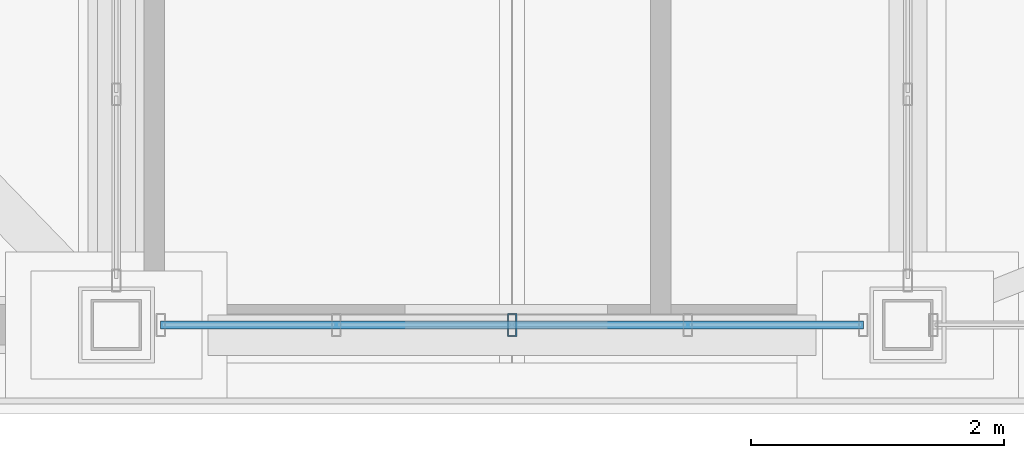
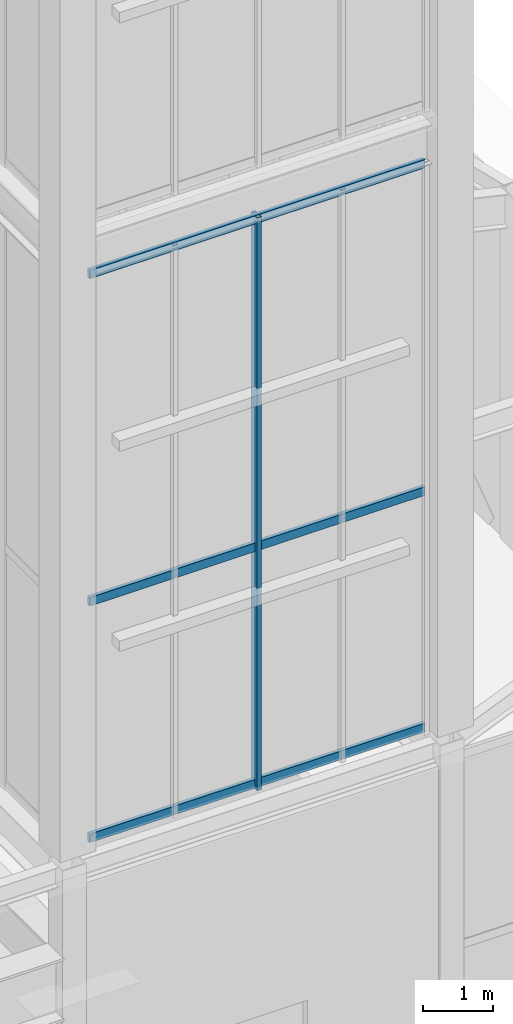
# One storey, part 35 of 135: 4 members, 1 element without a shape of its own.
"""IFC4 building model written with IfcOpenShell, lengths in metres."""

import ifcopenshell
import ifcopenshell.guid

model = None  # the IFC model being written
_history = None  # IfcOwnerHistory: only IFC2X3 demands one
_inside = {}  # id of a spatial element -> (the spatial element, [elements in it])
_under = {}  # id of a project, library or spatial element -> (it, [spatial elements below it])
_declared = {}  # id of a project -> (the project, [libraries it declares])
_typed = {}  # id of a type object -> (the type object, [elements of that type])
_made_of = {}  # id of a material, layer set ... -> (it, [elements and type objects made of it])


def new_model(schema):
    """Start an empty IFC model of exactly this schema.

    Asked for "IFC4X3", IfcOpenShell would pick the latest addendum, in which some entities
    have other attributes; the version numbers below select the first issue.
    IFC2X3 requires an IfcOwnerHistory on every rooted entity: one is made here for all.
    """
    global model, _history
    if schema == "IFC4X3":
        model = ifcopenshell.file(schema_version=(4, 3, 0, 0))
    else:
        model = ifcopenshell.file(schema=schema)
    _inside.clear()
    _under.clear()
    _declared.clear()
    _typed.clear()
    _made_of.clear()
    _history = None
    if model.schema == "IFC2X3":
        org = make("IfcOrganization", Name="unknown")
        user = make(
            "IfcPersonAndOrganization",
            ThePerson=make("IfcPerson", FamilyName="unknown"),
            TheOrganization=org,
        )
        app = make(
            "IfcApplication",
            ApplicationDeveloper=org,
            Version="unknown",
            ApplicationFullName="unknown",
            ApplicationIdentifier="unknown",
        )
        _history = make(
            "IfcOwnerHistory",
            OwningUser=user,
            OwningApplication=app,
            ChangeAction="ADDED",
            CreationDate=0,
        )
    return model


def make(cls, **values):
    """One entity of the class cls with the attributes given. An attribute that is None is left unset."""
    return model.create_entity(
        cls, **{name: value for name, value in values.items() if value is not None}
    )


def rooted(cls, **values):
    """An entity with a GlobalId (a new one), such as an element, a storey or a relation."""
    return make(cls, GlobalId=ifcopenshell.guid.new(), OwnerHistory=_history, **values)


def si_unit(unit_type, name, prefix=None):
    """IfcSIUnit, for example si_unit("LENGTHUNIT", "METRE", prefix="MILLI")."""
    return make("IfcSIUnit", UnitType=unit_type, Prefix=prefix, Name=name)


def assignment(units):
    """IfcUnitAssignment: the units of a project."""
    return None if units is None else make("IfcUnitAssignment", Units=units)


def point(xyz):
    """IfcCartesianPoint."""
    return None if xyz is None else make("IfcCartesianPoint", Coordinates=xyz)


def direction(xyz):
    """IfcDirection."""
    return None if xyz is None else make("IfcDirection", DirectionRatios=xyz)


def frame(location, z_axis=None, x_axis=None):
    """IfcAxis2Placement3D, a coordinate frame: its origin and axes. An axis left out is left unset."""
    return make(
        "IfcAxis2Placement3D",
        Location=point(location),
        Axis=direction(z_axis),
        RefDirection=direction(x_axis),
    )


def frame_2d(location, x_axis=None):
    """IfcAxis2Placement2D, a coordinate frame in the plane: its origin and x axis."""
    return make(
        "IfcAxis2Placement2D", Location=point(location), RefDirection=direction(x_axis)
    )


def origin():
    """The frame at (0, 0, 0) with its axes left unset."""
    return frame((0.0, 0.0, 0.0))


def origin_2d():
    """The frame at (0, 0) in the plane with its x axis left unset."""
    return frame_2d((0.0, 0.0))


def place(relative_to, where):
    """IfcLocalPlacement: puts the frame where relative to a parent placement (None: the world)."""
    return make(
        "IfcLocalPlacement", PlacementRelTo=relative_to, RelativePlacement=where
    )


def context(
    kind, dimensions, precision=None, world=None, true_north=None, identifier=None
):
    """IfcGeometricRepresentationContext, for example the 3D "Model" context."""
    return make(
        "IfcGeometricRepresentationContext",
        ContextIdentifier=identifier,
        ContextType=kind,
        CoordinateSpaceDimension=dimensions,
        Precision=precision,
        WorldCoordinateSystem=world,
        TrueNorth=true_north,
    )


def subcontext(parent, identifier, kind, view, scale=None):
    """IfcGeometricRepresentationSubContext, for example "Body" below "Model"."""
    return make(
        "IfcGeometricRepresentationSubContext",
        ContextIdentifier=identifier,
        ContextType=kind,
        ParentContext=parent,
        TargetScale=scale,
        TargetView=view,
    )


def project(units=None, contexts=None):
    """IfcProject with its units and contexts."""
    return rooted(
        "IfcProject",
        Name="project",
        RepresentationContexts=contexts,
        UnitsInContext=assignment(units),
    )


def spatial(cls, under=None, at=None, **own):
    """A site, building, storey or space (cls), placed at a placement, below another one or the project."""
    s = rooted(cls, ObjectPlacement=at, **own)
    if under is not None:
        _under.setdefault(under.id(), (under, []))[1].append(s)
    return s


def profile(cls, at=None, kind="AREA", **sizes):
    """A parametric profile (cls). Its sizes go by their IFC names, for example OverallWidth=200.0."""
    return make(cls, ProfileType=kind, Position=at, **sizes)


def hollow_rectangle(**sizes):
    """IfcRectangleHollowProfileDef."""
    return profile("IfcRectangleHollowProfileDef", **sizes)


def extrude(swept, where, along, depth):
    """IfcExtrudedAreaSolid: the profile swept, set in the frame where, extruded along a direction by depth."""
    return make(
        "IfcExtrudedAreaSolid",
        SweptArea=swept,
        Position=where,
        ExtrudedDirection=direction(along),
        Depth=depth,
    )


def shape(context_of_items, identifier, shape_type, items):
    """IfcShapeRepresentation: the items that make up one representation, for example the "Body"."""
    return make(
        "IfcShapeRepresentation",
        ContextOfItems=context_of_items,
        RepresentationIdentifier=identifier,
        RepresentationType=shape_type,
        Items=items,
    )


def source(mapping_origin, context_of_items, identifier, shape_type, items):
    """IfcRepresentationMap: a shape defined once, which mapped items show again and again."""
    return make(
        "IfcRepresentationMap",
        MappingOrigin=mapping_origin,
        MappedRepresentation=shape(context_of_items, identifier, shape_type, items),
    )


def transform(
    local_origin,
    x_axis=None,
    y_axis=None,
    z_axis=None,
    scale=None,
    scale2=None,
    scale3=None,
    uniform=True,
):
    """IfcCartesianTransformationOperator3D, or its non-uniform kind. x_axis, y_axis, z_axis: its Axis1, 2, 3."""
    if uniform:
        return make(
            "IfcCartesianTransformationOperator3D",
            Axis1=direction(x_axis),
            Axis2=direction(y_axis),
            LocalOrigin=point(local_origin),
            Scale=scale,
            Axis3=direction(z_axis),
        )
    return make(
        "IfcCartesianTransformationOperator3DnonUniform",
        Axis1=direction(x_axis),
        Axis2=direction(y_axis),
        LocalOrigin=point(local_origin),
        Scale=scale,
        Axis3=direction(z_axis),
        Scale2=scale2,
        Scale3=scale3,
    )


def mapped(mapping_source, mapping_target):
    """IfcMappedItem: shows the shape of a source again, moved by a transform."""
    return make(
        "IfcMappedItem", MappingSource=mapping_source, MappingTarget=mapping_target
    )


def material(Name=None, Category=None):
    """IfcMaterial."""
    return make("IfcMaterial", Name=Name, Category=Category)


def layer(
    of_material, thickness, ventilated=None, Name=None, Category=None, Priority=None
):
    """IfcMaterialLayer: one layer of a wall or slab, of a material (None: an air gap)."""
    return make(
        "IfcMaterialLayer",
        Material=of_material,
        LayerThickness=thickness,
        IsVentilated=ventilated,
        Name=Name,
        Category=Category,
        Priority=Priority,
    )


def layer_set(layers, Name=None):
    """IfcMaterialLayerSet."""
    return make("IfcMaterialLayerSet", MaterialLayers=layers, LayerSetName=Name)


def material_profile(
    of_material, cross_section, Name=None, Category=None, Priority=None
):
    """IfcMaterialProfile: a cross section and its material."""
    return make(
        "IfcMaterialProfile",
        Name=Name,
        Material=of_material,
        Profile=cross_section,
        Priority=Priority,
        Category=Category,
    )


def profile_set(profiles, Name=None, composite=None):
    """IfcMaterialProfileSet."""
    return make(
        "IfcMaterialProfileSet",
        Name=Name,
        MaterialProfiles=profiles,
        CompositeProfile=composite,
    )


def made_of(thing, what):
    """Note that an element or type object is made of a material, layer set ...; save() writes the relation."""
    if what is not None:
        _made_of.setdefault(what.id(), (what, []))[1].append(thing)
    return thing


def type_object(cls, material=None, **own):
    """A type object (cls), such as IfcWallType, which elements share."""
    return made_of(rooted(cls, **own), material)


def element(
    cls,
    number,
    at=None,
    inside=None,
    cuts=None,
    type_object=None,
    material=None,
    context=None,
    identifier="Body",
    shape_type=None,
    held_by="IfcProductDefinitionShape",
    body=None,
    shapes=None,
    **own,
):
    """One element of the class cls, such as IfcWall. Its Tag is "e" and its number.

    at: its placement. inside: the storey or other place that contains it. cuts: it is an
    opening in that element (IfcRelVoidsElement). A single representation is given by context,
    identifier, shape_type and body (its items); several are given by shapes. held_by: the class
    of the entity that holds the representations. save() writes the other relations.
    """
    e = rooted(cls, Tag="e%d" % number, ObjectPlacement=at, **own)
    if body is not None:
        shapes = [shape(context, identifier, shape_type, body)]
    if shapes is not None:
        e.Representation = make(held_by, Representations=shapes)
    if inside is not None:
        _inside.setdefault(inside.id(), (inside, []))[1].append(e)
    if cuts is not None:
        rooted(
            "IfcRelVoidsElement", RelatingBuildingElement=cuts, RelatedOpeningElement=e
        )
    if type_object is not None:
        _typed.setdefault(type_object.id(), (type_object, []))[1].append(e)
    return made_of(e, material)


def aggregate(whole, parts):
    """IfcRelAggregates: a whole, such as a stair, and the parts it consists of."""
    return rooted("IfcRelAggregates", RelatingObject=whole, RelatedObjects=parts)


def save(model, path):
    """Write the relations noted so far, then the file.

    IfcRelAggregates (storeys below a building ...), IfcRelContainedInSpatialStructure (elements
    in a storey), IfcRelDefinesByType, IfcRelAssociatesMaterial and IfcRelDeclares: one each for
    every whole, place, type object, material and project.
    """
    for whole, parts in _under.values():
        aggregate(whole, parts)
    for where, things in _inside.values():
        rooted(
            "IfcRelContainedInSpatialStructure",
            RelatedElements=things,
            RelatingStructure=where,
        )
    for kind, things in _typed.values():
        rooted("IfcRelDefinesByType", RelatedObjects=things, RelatingType=kind)
    for what, things in _made_of.values():
        rooted("IfcRelAssociatesMaterial", RelatedObjects=things, RelatingMaterial=what)
    for by, libraries in _declared.values():
        rooted("IfcRelDeclares", RelatingContext=by, RelatedDefinitions=libraries)
    model.write(path)


model = new_model("IFC4")

# Units and contexts
model_context = context("Model", 3, precision=1e-05, world=origin(), true_north=direction((0.0, 1.0)))
body_context = subcontext(model_context, "Body", "Model", "MODEL_VIEW")
ifc_project = project(units=[si_unit("LENGTHUNIT", "METRE"), si_unit("AREAUNIT", "SQUARE_METRE"), si_unit("VOLUMEUNIT", "CUBIC_METRE"), si_unit("PLANEANGLEUNIT", "RADIAN"), si_unit("MASSUNIT", "GRAM", prefix="KILO")], contexts=[model_context])

# Site, building, storey
site_placement = place(None, origin())
site = spatial("IfcSite", under=ifc_project, at=site_placement, CompositionType="ELEMENT")
building_placement = place(site_placement, origin())
building = spatial("IfcBuilding", under=site, at=building_placement, Name="Giltprow Tower", CompositionType="ELEMENT")
storey_placement = place(building_placement, frame((0.0, 0.0, 352.699951171875)))
storey = spatial("IfcBuildingStorey", under=building, at=storey_placement, Name="L92", CompositionType="ELEMENT", Elevation=352.699951171875)

# Curtain wall, members
ifc_material = material(Name="Anodized bronze", Category="metal")
ifc_layer = layer(ifc_material, 0.179931640625, Name="Anodized bronze")
ifc_layer_set = layer_set([ifc_layer], Name="Anodized bronze")
curtain_wall_type = type_object("IfcCurtainWallType", Name="CW-CROWN-LANTERN", PredefinedType="NOTDEFINED", material=ifc_layer_set)
curtain_wall_placement = place(storey_placement, origin())
curtain_wall = element("IfcCurtainWall", 1, at=curtain_wall_placement, inside=storey, type_object=curtain_wall_type, Name="Crown East Lower Lantern Glazing 1", PredefinedType="NOTDEFINED")
ifc_material_profile_1 = material_profile(ifc_material, hollow_rectangle(XDim=0.074951171875, YDim=0.179931640625, WallThickness=0.008056640625, at=origin_2d()), Name="RHS 180x75x8")
ifc_profile_set_1 = profile_set([ifc_material_profile_1], Name="Anodized bronze")
member_type_1 = type_object("IfcMemberType", Name="CW-MULLION-180x75", PredefinedType="MULLION", material=ifc_profile_set_1)
shared_shape_1 = source(origin(), body_context, "Body", "SweptSolid", [
    extrude(hollow_rectangle(XDim=0.074951171875, YDim=0.179931640625, WallThickness=0.008056640625, at=origin_2d()), origin(), (0.0, 0.0, 1.0), 10.030029296875),
])
member_1_placement = place(storey_placement, frame((47.425048828125, 23.5, 6.35009765625), z_axis=(0.0, 0.0, 1.0), x_axis=(1.0, 0.0, 0.0)))
member_1 = element("IfcMember", 2, at=member_1_placement, type_object=member_type_1, Name="Crown East Lower Lantern Glazing 1 Mullion 3", PredefinedType="MULLION", context=body_context, shape_type="MappedRepresentation", body=[
    mapped(shared_shape_1, transform((0.0, 0.0, 0.0), x_axis=(1.0, 0.0, 0.0), y_axis=(0.0, 1.0, 0.0), z_axis=(0.0, 0.0, 1.0), scale=1.0)),
])
ifc_material_profile_2 = material_profile(ifc_material, hollow_rectangle(XDim=0.06494140625, YDim=0.14990234375, WallThickness=0.006103515625, at=origin_2d()), Name="RHS 150x65x6")
ifc_profile_set_2 = profile_set([ifc_material_profile_2], Name="Anodized bronze")
member_type_2 = type_object("IfcMemberType", Name="CW-TRANSOM-150x65", PredefinedType="USERDEFINED", material=ifc_profile_set_2)
shared_shape_2 = source(origin(), body_context, "Body", "SweptSolid", [
    extrude(hollow_rectangle(XDim=0.06494140625, YDim=0.14990234375, WallThickness=0.006103515625, at=origin_2d()), origin(), (0.0, 0.0, 1.0), 5.550048828125),
])
member_2_placement = place(storey_placement, frame((44.64990234375, 23.5, 6.43994140625), z_axis=(1.0, 0.0, 0.0), x_axis=(0.0, 1.0, 0.0)))
member_2 = element("IfcMember", 3, at=member_2_placement, type_object=member_type_2, Name="Crown East Lower Lantern Glazing 1 Transom 1", ObjectType="TRANSOM", PredefinedType="USERDEFINED", context=body_context, shape_type="MappedRepresentation", body=[
    mapped(shared_shape_2, transform((0.0, 0.0, 0.0), x_axis=(1.0, 0.0, 0.0), y_axis=(0.0, 1.0, 0.0), z_axis=(0.0, 0.0, 1.0), scale=1.0)),
])
member_3_placement = place(storey_placement, frame((44.64990234375, 23.5, 10.5791015625), z_axis=(1.0, 0.0, 0.0), x_axis=(0.0, 1.0, 0.0)))
member_3 = element("IfcMember", 4, at=member_3_placement, type_object=member_type_2, Name="Crown East Lower Lantern Glazing 1 Transom 2", ObjectType="TRANSOM", PredefinedType="USERDEFINED", context=body_context, shape_type="MappedRepresentation", body=[
    mapped(shared_shape_2, transform((0.0, 0.0, 0.0), x_axis=(1.0, 0.0, 0.0), y_axis=(0.0, 1.0, 0.0), z_axis=(0.0, 0.0, 1.0), scale=1.0)),
])
member_4_placement = place(storey_placement, frame((44.64990234375, 23.5, 16.31005859375), z_axis=(1.0, 0.0, 0.0), x_axis=(0.0, 1.0, 0.0)))
member_4 = element("IfcMember", 5, at=member_4_placement, type_object=member_type_2, Name="Crown East Lower Lantern Glazing 1 Transom 3", ObjectType="TRANSOM", PredefinedType="USERDEFINED", context=body_context, shape_type="MappedRepresentation", body=[
    mapped(shared_shape_2, transform((0.0, 0.0, 0.0), x_axis=(1.0, 0.0, 0.0), y_axis=(0.0, 1.0, 0.0), z_axis=(0.0, 0.0, 1.0), scale=1.0)),
])
aggregate(curtain_wall, [member_1, member_2, member_3, member_4])

save(model, "model.ifc")
